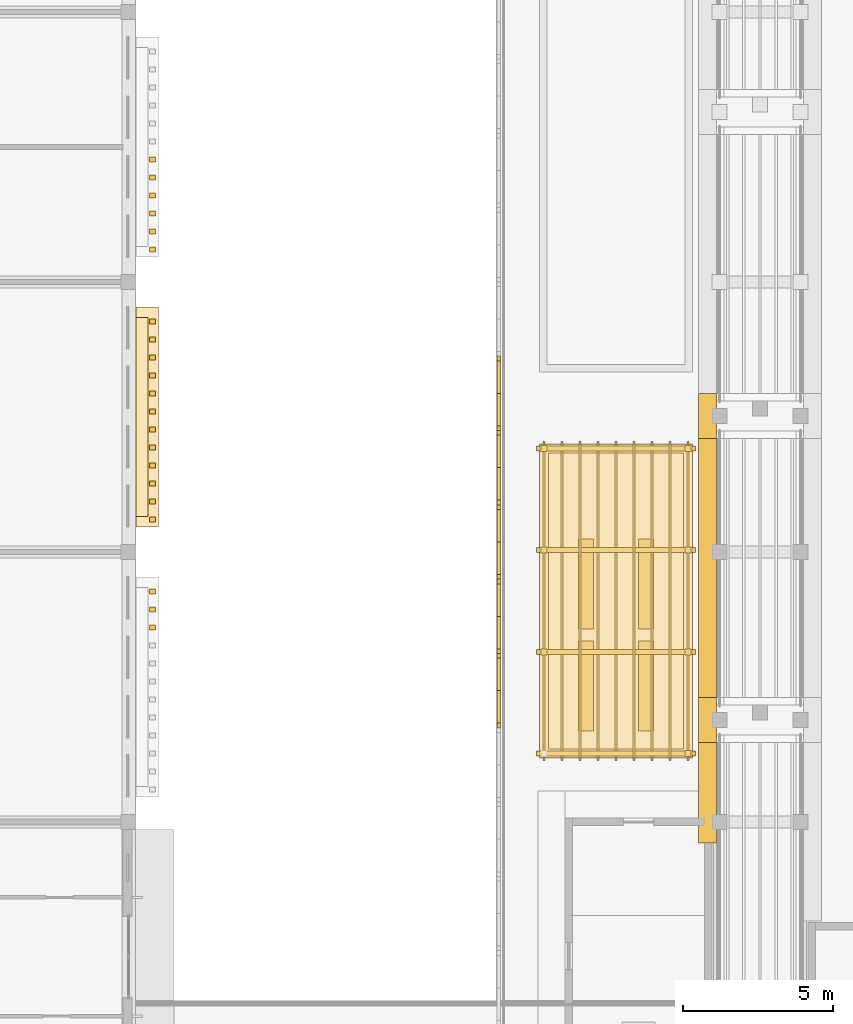
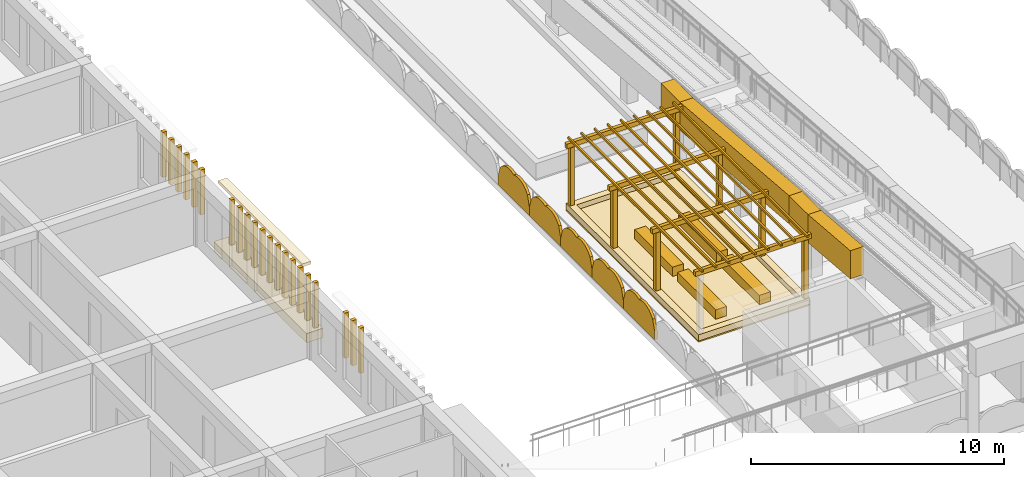
# One storey, part 63 of 70: 54 coverings, 5 shading devices.
"""IFC4 building model written with IfcOpenShell, lengths in metres."""

from ifc_helpers import new_model, si_unit, direction, frame, origin, origin_2d, place, context, subcontext, project, spatial, polyline, rectangle, outline, extrude, material, layer, layer_set, type_object, element, save


model = new_model("IFC4")

# Units and contexts
model_context = context("Model", 3, precision=1e-05, world=origin(), true_north=direction((0.0, 1.0)))
body_context = subcontext(model_context, "Body", "Model", "MODEL_VIEW")
ifc_project = project(units=[si_unit("LENGTHUNIT", "METRE"), si_unit("AREAUNIT", "SQUARE_METRE"), si_unit("VOLUMEUNIT", "CUBIC_METRE"), si_unit("PLANEANGLEUNIT", "RADIAN"), si_unit("MASSUNIT", "GRAM", prefix="KILO")], contexts=[model_context])

# Site, building, storey
site_placement = place(None, origin())
site = spatial("IfcSite", under=ifc_project, at=site_placement, CompositionType="ELEMENT")
building_placement = place(site_placement, origin())
building = spatial("IfcBuilding", under=site, at=building_placement, Name="Elbe Cascade School", CompositionType="ELEMENT")
storey_placement = place(building_placement, frame((0.0, 0.0, 8.10009765625)))
storey = spatial("IfcBuildingStorey", under=building, at=storey_placement, Name="L02", CompositionType="ELEMENT", Elevation=8.10009765625)

# Shading devices
ifc_material_1 = material(Name="Precast concrete C40/50", Category="concrete")
ifc_layer_1 = layer(ifc_material_1, 0.1201171875)
ifc_layer_set_1 = layer_set([ifc_layer_1], Name="Precast concrete C40/50")
shading_device_type = type_object("IfcShadingDeviceType", Name="Bars envelope Attic jali screen, pointed arch top, pierced precast concrete, 1200 high", PredefinedType="USERDEFINED", material=ifc_layer_set_1)
shading_device_1_placement = place(storey_placement, frame((157.580078125, 18.136474609375, 0.39990234375), z_axis=(-1.0, 0.0, 0.0), x_axis=(0.0, 0.296914729778, 0.954903996871)))
element("IfcShadingDevice", 1, at=shading_device_1_placement, inside=storey, type_object=shading_device_type, Name="Attic jali screen SD1 D.L02.w6", ObjectType="JALI", PredefinedType="USERDEFINED", context=body_context, shape_type="SweptSolid", body=[
    extrude(outline(polyline([(0.0, 0.0), (0.5213118135497831, 2.7755575615628914e-17), (0.730927669136395, 0.09691772307437502), (0.8773650620393721, 0.21347995097534359), (0.9848696015542793, 0.3421478331421466), (1.0620671294497308, 0.48023927850989856), (1.1124546086048945, 0.6266669528631053), (1.1363376588260814, 0.7815914981126785), (1.1317062553490027, 0.9451265641229927), (1.2282536445091836, 1.0772014268316772), (1.296431557866498, 1.218353072018325), (1.3379600643944363, 1.3675353263841168), (1.3526785221820867, 1.5250538097353636), (1.3370899683502817, 1.6919958562875592), (1.2825685611304065, 1.8710435571055892), (1.1648686912268968, 2.069735762750213), (0.7354728633602158, 2.3653456914692117), (0.353604516955074, 2.4840825878011685), (-0.3818683464051418, 0.11873689633195678), (0.0, 0.0)])), origin(), (0.0, 0.0, -1.0), 0.1201171875),
])
shading_device_2_placement = place(storey_placement, frame((157.580078125, 20.613525390625, 0.39990234375), z_axis=(-1.0, 0.0, 0.0), x_axis=(0.0, 0.297341674145, 0.954771139497)))
element("IfcShadingDevice", 2, at=shading_device_2_placement, inside=storey, type_object=shading_device_type, Name="Attic jali screen SD1 D.L02.w7", ObjectType="JALI", PredefinedType="USERDEFINED", context=body_context, shape_type="SweptSolid", body=[
    extrude(outline(polyline([(0.0, 0.0), (0.5213843546183408, 0.0), (0.7310435248660785, 0.0968239861308065), (0.8775330225543048, 0.21332072462811125), (0.9850950836468173, 0.3419405245468374), (1.0623543497845827, 0.47999743814690954), (1.112807297308533, 0.6264025676958647), (1.1367596178235617, 0.7813164184342674), (1.1322013375835094, 0.9448535389739736), (1.2288077728077673, 1.0768852184544173), (1.2969762004591083, 1.2177732661588931), (1.3386440011015277, 1.3671700350528164), (1.353432889947968, 1.5246819214728944), (1.337918983839661, 1.6916309215743182), (1.2834776411356403, 1.870702983097163), (1.1658666258721082, 2.0694477969865064), (0.7366030194201371, 2.365249695429385), (0.35478780299032203, 2.4841573278143447), (-0.38181521642981503, 0.11890763238495955), (0.0, 0.0)])), origin(), (0.0, 0.0, -1.0), 0.1201171875),
])
shading_device_3_placement = place(storey_placement, frame((157.580078125, 23.0908203125, 0.39990234375), z_axis=(-1.0, 0.0, 0.0), x_axis=(0.0, 0.296914729778, 0.954903996871)))
element("IfcShadingDevice", 3, at=shading_device_3_placement, inside=storey, type_object=shading_device_type, Name="Attic jali screen SD1 D.L02.w8", ObjectType="JALI", PredefinedType="USERDEFINED", context=body_context, shape_type="SweptSolid", body=[
    extrude(outline(polyline([(0.0, 0.0), (0.5213118135497831, 2.7755575615628914e-17), (0.7310001580840946, 0.09715085393298623), (0.8774375509870718, 0.2137130818339548), (0.9849420905019789, 0.3423809640007578), (1.0621396183974305, 0.48047240936850977), (1.1125995865002938, 0.6271332145803277), (1.1364101477737811, 0.7818246289712897), (1.1317787442967022, 0.9453596949816039), (1.2283261334568831, 1.0774345576902884), (1.296431557866498, 1.218353072018325), (1.3379600643944363, 1.3675353263841168), (1.3527510111297865, 1.5252869405939748), (1.3371624572979814, 1.6922289871461704), (1.282641050078106, 1.8712766879642004), (1.1649411801745964, 2.069968893608824), (0.7355453523079154, 2.365578822327823), (0.3536770059027736, 2.4843157186597797), (-0.3818683464051418, 0.11873689633195678), (0.0, 0.0)])), origin(), (0.0, 0.0, -1.0), 0.1201171875),
])
shading_device_4_placement = place(storey_placement, frame((157.580078125, 25.568115234375, 0.39990234375), z_axis=(-1.0, 0.0, 0.0), x_axis=(0.0, 0.296914729778, 0.954903996871)))
element("IfcShadingDevice", 4, at=shading_device_4_placement, inside=storey, type_object=shading_device_type, Name="Attic jali screen SD1 D.L02.w9", ObjectType="JALI", PredefinedType="USERDEFINED", context=body_context, shape_type="SweptSolid", body=[
    extrude(outline(polyline([(0.0, 0.0), (0.5213118135497831, 2.7755575615628914e-17), (0.730927669136395, 0.09691772307437502), (0.8774375509870718, 0.2137130818339548), (0.9849420905019789, 0.3423809640007578), (1.0621396183974305, 0.48047240936850977), (1.1125995865002938, 0.6271332145803277), (1.1364101477737811, 0.7818246289712897), (1.1317787442967022, 0.9453596949816039), (1.2283261334568831, 1.0774345576902884), (1.296431557866498, 1.218353072018325), (1.3379600643944363, 1.3675353263841168), (1.3526785221820867, 1.5250538097353636), (1.3371624572979814, 1.6922289871461704), (1.282641050078106, 1.8712766879642004), (1.1649411801745964, 2.069968893608824), (0.7355453523079154, 2.365578822327823), (0.3536770059027736, 2.4843157186597797), (-0.3818683464051418, 0.11873689633195678), (0.0, 0.0)])), origin(), (0.0, 0.0, -1.0), 0.1201171875),
])
shading_device_5_placement = place(storey_placement, frame((157.580078125, 28.04541015625, 0.39990234375), z_axis=(-1.0, 0.0, 0.0), x_axis=(0.0, 0.296914729778, 0.954903996871)))
element("IfcShadingDevice", 5, at=shading_device_5_placement, inside=storey, type_object=shading_device_type, Name="Attic jali screen SD1 D.L02.w10", ObjectType="JALI", PredefinedType="USERDEFINED", context=body_context, shape_type="SweptSolid", body=[
    extrude(outline(polyline([(0.0, 0.0), (0.5213118135497831, 2.7755575615628914e-17), (0.730927669136395, 0.09691772307437502), (0.8774375509870718, 0.2137130818339548), (0.9849420905019789, 0.3423809640007578), (1.0621396183974305, 0.48047240936850977), (1.1125270975525943, 0.6269000837217165), (1.1364101477737811, 0.7818246289712897), (1.1317787442967022, 0.9453596949816039), (1.2283261334568831, 1.0774345576902884), (1.296431557866498, 1.218353072018325), (1.3379600643944363, 1.3675353263841168), (1.3526785221820867, 1.5250538097353636), (1.3370899683502817, 1.6919958562875592), (1.282641050078106, 1.8712766879642004), (1.1649411801745964, 2.069968893608824), (0.7355453523079154, 2.365578822327823), (0.3536770059027736, 2.4843157186597797), (-0.3818683464051418, 0.11873689633195678), (0.0, 0.0)])), origin(), (0.0, 0.0, -1.0), 0.1201171875),
])

# Coverings
ifc_material_2 = material(Name="Bituminous waterproofing membrane", Category="membrane")
ifc_layer_2 = layer(ifc_material_2, 0.06005859375)
ifc_layer_set_2 = layer_set([ifc_layer_2], Name="Bituminous waterproofing membrane")
covering_type_1 = type_object("IfcCoveringType", Name="Bars envelope Roof covering, bituminous waterproofing membrane", PredefinedType="ROOFING", material=ifc_layer_set_2)
covering_1_placement = place(storey_placement, origin())
element("IfcCovering", 6, at=covering_1_placement, inside=storey, type_object=covering_type_1, Name="Roof covering CV49 D.L02.1", PredefinedType="ROOFING", context=body_context, shape_type="SweptSolid", body=[
    extrude(outline(polyline([(159.0, 17.125), (159.0, 27.60009765625), (164.10009765625, 27.60009765625), (164.10009765625, 17.125), (159.0, 17.125)])), origin(), (0.0, 0.0, 1.0), 0.059814453125),
])
ifc_material_3 = material(Name="Sandstone - red", Category="masonry")
covering_type_2 = type_object("IfcCoveringType", Name="Bars envelope Sandstone floor ledge, 400 deep", PredefinedType="CLADDING", material=ifc_material_3)
covering_2_placement = place(storey_placement, frame((145.75, 28.5, 3.4599609375), z_axis=(0.0, 0.0, 1.0), x_axis=(0.0, 1.0, 0.0)))
element("IfcCovering", 7, at=covering_2_placement, inside=storey, type_object=covering_type_2, Name="Floor ledge CV64 C.L02.e2.1", PredefinedType="CLADDING", context=body_context, shape_type="SweptSolid", body=[
    extrude(rectangle(XDim=6.639892578125, YDim=0.39990234375, at=origin_2d()), origin(), (0.0, 0.0, 1.0), 0.139892578125),
])
ifc_material_4 = material(Name="Sandstone - red", Category="masonry")
covering_type_3 = type_object("IfcCoveringType", Name="Bars envelope Sandstone planter kerb, 750 deep", PredefinedType="CLADDING", material=ifc_material_4)
covering_3_placement = place(storey_placement, frame((145.925048828125, 28.5, 0.0), z_axis=(0.0, 0.0, 1.0), x_axis=(0.0, 1.0, 0.0)))
element("IfcCovering", 8, at=covering_3_placement, inside=storey, type_object=covering_type_3, Name="Planter kerb CV65 C.L02.e2.1", PredefinedType="CLADDING", context=body_context, shape_type="SweptSolid", body=[
    extrude(rectangle(XDim=7.340087890625, YDim=0.75, at=origin_2d()), origin(), (0.0, 0.0, 1.0), 0.449951171875),
])
ifc_material_5 = material(Name="Sandstone - red", Category="masonry")
covering_type_4 = type_object("IfcCoveringType", Name="Bars envelope Sandstone slat, 160 wide, 200 deep", PredefinedType="CLADDING", material=ifc_material_5)
for number, where, z_axis, x_axis, name in (
    (9, (146.10009765625, 21.47998046875, 0.44970703125), (0.0, 0.0, 1.0), (0.0, 1.0, 0.0), "Slat CV66 C.L02.e1.1.10"),
    (10, (146.10009765625, 22.080078125, 0.44970703125), (0.0, 0.0, 1.0), (0.0, 1.0, 0.0), "Slat CV66 C.L02.e1.1.11"),
    (11, (146.10009765625, 22.679931640625, 0.44970703125), (0.0, 0.0, 1.0), (0.0, 1.0, 0.0), "Slat CV66 C.L02.e1.1.12"),
    (12, (146.10009765625, 25.080078125, 0.44970703125), (0.0, 0.0, 1.0), (0.0, 1.0, 0.0), "Slat CV66 C.L02.e2.1.1"),
    (13, (146.10009765625, 25.679931640625, 0.44970703125), (0.0, 0.0, 1.0), (0.0, 1.0, 0.0), "Slat CV66 C.L02.e2.1.2"),
    (14, (146.10009765625, 26.280029296875, 0.44970703125), (0.0, 0.0, 1.0), (0.0, 1.0, 0.0), "Slat CV66 C.L02.e2.1.3"),
    (15, (146.10009765625, 26.8798828125, 0.44970703125), (0.0, 0.0, 1.0), (0.0, 1.0, 0.0), "Slat CV66 C.L02.e2.1.4"),
    (16, (146.10009765625, 27.47998046875, 0.44970703125), (0.0, 0.0, 1.0), (0.0, 1.0, 0.0), "Slat CV66 C.L02.e2.1.5"),
    (17, (146.10009765625, 28.080078125, 0.44970703125), (0.0, 0.0, 1.0), (0.0, 1.0, 0.0), "Slat CV66 C.L02.e2.1.6"),
    (18, (146.10009765625, 28.679931640625, 0.44970703125), (0.0, 0.0, 1.0), (0.0, 1.0, 0.0), "Slat CV66 C.L02.e2.1.7"),
    (19, (146.10009765625, 29.280029296875, 0.44970703125), (0.0, 0.0, 1.0), (0.0, 1.0, 0.0), "Slat CV66 C.L02.e2.1.8"),
    (20, (146.10009765625, 29.8798828125, 0.44970703125), (0.0, 0.0, 1.0), (0.0, 1.0, 0.0), "Slat CV66 C.L02.e2.1.9"),
    (21, (146.10009765625, 30.47998046875, 0.44970703125), (0.0, 0.0, 1.0), (0.0, 1.0, 0.0), "Slat CV66 C.L02.e2.1.10"),
    (22, (146.10009765625, 31.080078125, 0.44970703125), (0.0, 0.0, 1.0), (0.0, 1.0, 0.0), "Slat CV66 C.L02.e2.1.11"),
    (23, (146.10009765625, 31.679931640625, 0.44970703125), (0.0, 0.0, 1.0), (0.0, 1.0, 0.0), "Slat CV66 C.L02.e2.1.12"),
    (24, (146.10009765625, 34.080078125, 0.44970703125), (0.0, 0.0, 1.0), (0.0, 1.0, 0.0), "Slat CV66 C.L02.e3.1.1"),
    (25, (146.10009765625, 34.679931640625, 0.44970703125), (0.0, 0.0, 1.0), (0.0, 1.0, 0.0), "Slat CV66 C.L02.e3.1.2"),
    (26, (146.10009765625, 35.280029296875, 0.44970703125), (0.0, 0.0, 1.0), (0.0, 1.0, 0.0), "Slat CV66 C.L02.e3.1.3"),
    (27, (146.10009765625, 35.8798828125, 0.44970703125), (0.0, 0.0, 1.0), (0.0, 1.0, 0.0), "Slat CV66 C.L02.e3.1.4"),
    (28, (146.10009765625, 36.47998046875, 0.44970703125), (0.0, 0.0, 1.0), (0.0, 1.0, 0.0), "Slat CV66 C.L02.e3.1.5"),
    (29, (146.10009765625, 37.080078125, 0.44970703125), (0.0, 0.0, 1.0), (0.0, 1.0, 0.0), "Slat CV66 C.L02.e3.1.6"),
):
    element("IfcCovering", number, at=place(storey_placement, frame(where, z_axis=z_axis, x_axis=x_axis)), inside=storey, type_object=covering_type_4, Name=name, PredefinedType="CLADDING", context=body_context, shape_type="SweptSolid", body=[
        extrude(rectangle(XDim=0.159912109375, YDim=0.199951171875, at=origin_2d()), origin(), (0.0, 0.0, 1.0), 2.179931640625),
    ])
ifc_material_6 = material(Name="Concrete C30/37 precast, exposed aggregate", Category="concrete")
covering_type_5 = type_object("IfcCoveringType", Name="Court bench 500x450", PredefinedType="USERDEFINED", material=ifc_material_6)
covering_4_placement = place(storey_placement, frame((0.0, 0.0, 0.10986328125)))
element("IfcCovering", 30, at=covering_4_placement, inside=storey, type_object=covering_type_5, Name="Court bench D.w1.1", ObjectType="BENCH", PredefinedType="USERDEFINED", context=body_context, shape_type="SweptSolid", body=[
    extrude(outline(polyline([(160.300048828125, 18.02490234375), (160.800048828125, 18.02490234375), (160.800048828125, 21.02490234375), (160.300048828125, 21.02490234375), (160.300048828125, 18.02490234375)])), origin(), (0.0, 0.0, 1.0), 0.449951171875),
])
covering_5_placement = place(storey_placement, frame((0.0, 0.0, 0.10986328125)))
element("IfcCovering", 31, at=covering_5_placement, inside=storey, type_object=covering_type_5, Name="Court bench D.w1.2", ObjectType="BENCH", PredefinedType="USERDEFINED", context=body_context, shape_type="SweptSolid", body=[
    extrude(outline(polyline([(160.300048828125, 21.425048828125), (160.800048828125, 21.425048828125), (160.800048828125, 24.425048828125), (160.300048828125, 24.425048828125), (160.300048828125, 21.425048828125)])), origin(), (0.0, 0.0, 1.0), 0.449951171875),
])
covering_6_placement = place(storey_placement, frame((0.0, 0.0, 0.10986328125)))
element("IfcCovering", 32, at=covering_6_placement, inside=storey, type_object=covering_type_5, Name="Court bench D.w1.3", ObjectType="BENCH", PredefinedType="USERDEFINED", context=body_context, shape_type="SweptSolid", body=[
    extrude(outline(polyline([(162.300048828125, 18.02490234375), (162.800048828125, 18.02490234375), (162.800048828125, 21.02490234375), (162.300048828125, 21.02490234375), (162.300048828125, 18.02490234375)])), origin(), (0.0, 0.0, 1.0), 0.449951171875),
])
covering_7_placement = place(storey_placement, frame((0.0, 0.0, 0.10986328125)))
element("IfcCovering", 33, at=covering_7_placement, inside=storey, type_object=covering_type_5, Name="Court bench D.w1.4", ObjectType="BENCH", PredefinedType="USERDEFINED", context=body_context, shape_type="SweptSolid", body=[
    extrude(outline(polyline([(162.300048828125, 21.425048828125), (162.800048828125, 21.425048828125), (162.800048828125, 24.425048828125), (162.300048828125, 24.425048828125), (162.300048828125, 21.425048828125)])), origin(), (0.0, 0.0, 1.0), 0.449951171875),
])
ifc_material_7 = material(Name="Concrete C30/37 precast kerb", Category="concrete")
ifc_layer_3 = layer(ifc_material_7, 0.300048828125)
ifc_layer_set_3 = layer_set([ifc_layer_3], Name="Concrete C30/37 precast kerb")
covering_type_6 = type_object("IfcCoveringType", Name="Court kerb 300x300", PredefinedType="CLADDING", material=ifc_layer_set_3)
covering_8_placement = place(storey_placement, frame((0.0, 0.0, 0.059814453125)))
element("IfcCovering", 34, at=covering_8_placement, inside=storey, type_object=covering_type_6, Name="Court kerb D.w1", PredefinedType="CLADDING", context=body_context, shape_type="SweptSolid", body=[
    extrude(outline(polyline([(164.10009765625, 17.125), (162.5, 17.125), (162.10009765625, 17.125), (159.0, 17.125), (159.0, 27.60009765625), (164.10009765625, 27.60009765625), (164.10009765625, 24.89990234375), (164.10009765625, 24.89990234375), (164.10009765625, 23.10009765625), (164.10009765625, 23.10009765625), (164.10009765625, 19.2900390625), (164.10009765625, 19.2900390625), (164.10009765625, 17.489990234375), (164.10009765625, 17.489990234375), (164.10009765625, 17.125)]), holes=[polyline([(163.800048828125, 17.425048828125), (159.300048828125, 17.425048828125), (159.300048828125, 27.300048828125), (163.800048828125, 27.300048828125), (163.800048828125, 25.199951171875), (163.800048828125, 25.199951171875), (163.800048828125, 23.10009765625), (163.800048828125, 19.590087890625), (163.800048828125, 19.590087890625), (163.800048828125, 17.489990234375), (163.800048828125, 17.425048828125)])]), origin(), (0.0, 0.0, 1.0), 0.300048828125),
])
ifc_material_8 = material(Name="Concrete paving slabs", Category="concrete")
ifc_layer_4 = layer(ifc_material_8, 0.050048828125)
ifc_layer_set_4 = layer_set([ifc_layer_4], Name="Concrete paving slabs")
covering_type_7 = type_object("IfcCoveringType", Name="Court paving 50", PredefinedType="FLOORING", material=ifc_layer_set_4)
covering_9_placement = place(storey_placement, frame((0.0, 0.0, 0.059814453125)))
element("IfcCovering", 35, at=covering_9_placement, inside=storey, type_object=covering_type_7, Name="Court paving D.w1", PredefinedType="FLOORING", context=body_context, shape_type="SweptSolid", body=[
    extrude(outline(polyline([(163.800048828125, 17.425048828125), (159.300048828125, 17.425048828125), (159.300048828125, 27.300048828125), (163.800048828125, 27.300048828125), (163.800048828125, 25.199951171875), (163.800048828125, 25.199951171875), (163.800048828125, 23.10009765625), (163.800048828125, 19.590087890625), (163.800048828125, 19.590087890625), (163.800048828125, 17.489990234375), (163.800048828125, 17.425048828125)])), origin(), (0.0, 0.0, 1.0), 0.050048828125),
])
ifc_material_9 = material(Name="Steel S355J2H, hot-dip galvanised", Category="steel")
covering_type_8 = type_object("IfcCoveringType", Name="Pergola beam 160x220", PredefinedType="USERDEFINED", material=ifc_material_9)
covering_10_placement = place(storey_placement, frame((0.0, 0.0, 3.159912109375)))
element("IfcCovering", 36, at=covering_10_placement, inside=storey, type_object=covering_type_8, Name="Pergola D.w1 beam 1", ObjectType="PERGOLA BEAM", PredefinedType="USERDEFINED", context=body_context, shape_type="SweptSolid", body=[
    extrude(outline(polyline([(158.89990234375, 17.195068359375), (164.199951171875, 17.195068359375), (164.199951171875, 17.35498046875), (158.89990234375, 17.35498046875), (158.89990234375, 17.195068359375)])), origin(), (0.0, 0.0, 1.0), 0.219970703125),
])
covering_11_placement = place(storey_placement, frame((0.0, 0.0, 3.159912109375)))
element("IfcCovering", 37, at=covering_11_placement, inside=storey, type_object=covering_type_8, Name="Pergola D.w1 beam 2", ObjectType="PERGOLA BEAM", PredefinedType="USERDEFINED", context=body_context, shape_type="SweptSolid", body=[
    extrude(outline(polyline([(158.89990234375, 20.586669921875), (164.199951171875, 20.586669921875), (164.199951171875, 20.74658203125), (158.89990234375, 20.74658203125), (158.89990234375, 20.586669921875)])), origin(), (0.0, 0.0, 1.0), 0.219970703125),
])
covering_12_placement = place(storey_placement, frame((0.0, 0.0, 3.159912109375)))
element("IfcCovering", 38, at=covering_12_placement, inside=storey, type_object=covering_type_8, Name="Pergola D.w1 beam 3", ObjectType="PERGOLA BEAM", PredefinedType="USERDEFINED", context=body_context, shape_type="SweptSolid", body=[
    extrude(outline(polyline([(158.89990234375, 23.978271484375), (164.199951171875, 23.978271484375), (164.199951171875, 24.13818359375), (158.89990234375, 24.13818359375), (158.89990234375, 23.978271484375)])), origin(), (0.0, 0.0, 1.0), 0.219970703125),
])
covering_13_placement = place(storey_placement, frame((0.0, 0.0, 3.159912109375)))
element("IfcCovering", 39, at=covering_13_placement, inside=storey, type_object=covering_type_8, Name="Pergola D.w1 beam 4", ObjectType="PERGOLA BEAM", PredefinedType="USERDEFINED", context=body_context, shape_type="SweptSolid", body=[
    extrude(outline(polyline([(158.89990234375, 27.3701171875), (164.199951171875, 27.3701171875), (164.199951171875, 27.530029296875), (158.89990234375, 27.530029296875), (158.89990234375, 27.3701171875)])), origin(), (0.0, 0.0, 1.0), 0.219970703125),
])
ifc_material_10 = material(Name="Steel S355J2H, hot-dip galvanised", Category="steel")
covering_type_9 = type_object("IfcCoveringType", Name="Pergola post 200x2800", PredefinedType="USERDEFINED", material=ifc_material_10)
covering_14_placement = place(storey_placement, frame((0.0, 0.0, 0.35986328125)))
element("IfcCovering", 40, at=covering_14_placement, inside=storey, type_object=covering_type_9, Name="Pergola D.w1 post 1e", ObjectType="PERGOLA POST", PredefinedType="USERDEFINED", context=body_context, shape_type="SweptSolid", body=[
    extrude(outline(polyline([(163.85009765625, 17.175048828125), (164.050048828125, 17.175048828125), (164.050048828125, 17.375), (163.85009765625, 17.375), (163.85009765625, 17.175048828125)])), origin(), (0.0, 0.0, 1.0), 2.800048828125),
])
covering_15_placement = place(storey_placement, frame((0.0, 0.0, 0.35986328125)))
element("IfcCovering", 41, at=covering_15_placement, inside=storey, type_object=covering_type_9, Name="Pergola D.w1 post 2w", ObjectType="PERGOLA POST", PredefinedType="USERDEFINED", context=body_context, shape_type="SweptSolid", body=[
    extrude(outline(polyline([(159.050048828125, 20.566650390625), (159.25, 20.566650390625), (159.25, 20.7666015625), (159.050048828125, 20.7666015625), (159.050048828125, 20.566650390625)])), origin(), (0.0, 0.0, 1.0), 2.800048828125),
])
covering_16_placement = place(storey_placement, frame((0.0, 0.0, 0.35986328125)))
element("IfcCovering", 42, at=covering_16_placement, inside=storey, type_object=covering_type_9, Name="Pergola D.w1 post 2e", ObjectType="PERGOLA POST", PredefinedType="USERDEFINED", context=body_context, shape_type="SweptSolid", body=[
    extrude(outline(polyline([(163.85009765625, 20.566650390625), (164.050048828125, 20.566650390625), (164.050048828125, 20.7666015625), (163.85009765625, 20.7666015625), (163.85009765625, 20.566650390625)])), origin(), (0.0, 0.0, 1.0), 2.800048828125),
])
covering_17_placement = place(storey_placement, frame((0.0, 0.0, 0.35986328125)))
element("IfcCovering", 43, at=covering_17_placement, inside=storey, type_object=covering_type_9, Name="Pergola D.w1 post 3w", ObjectType="PERGOLA POST", PredefinedType="USERDEFINED", context=body_context, shape_type="SweptSolid", body=[
    extrude(outline(polyline([(159.050048828125, 23.958251953125), (159.25, 23.958251953125), (159.25, 24.158203125), (159.050048828125, 24.158203125), (159.050048828125, 23.958251953125)])), origin(), (0.0, 0.0, 1.0), 2.800048828125),
])
covering_18_placement = place(storey_placement, frame((0.0, 0.0, 0.35986328125)))
element("IfcCovering", 44, at=covering_18_placement, inside=storey, type_object=covering_type_9, Name="Pergola D.w1 post 3e", ObjectType="PERGOLA POST", PredefinedType="USERDEFINED", context=body_context, shape_type="SweptSolid", body=[
    extrude(outline(polyline([(163.85009765625, 23.958251953125), (164.050048828125, 23.958251953125), (164.050048828125, 24.158203125), (163.85009765625, 24.158203125), (163.85009765625, 23.958251953125)])), origin(), (0.0, 0.0, 1.0), 2.800048828125),
])
covering_19_placement = place(storey_placement, frame((0.0, 0.0, 0.35986328125)))
element("IfcCovering", 45, at=covering_19_placement, inside=storey, type_object=covering_type_9, Name="Pergola D.w1 post 4w", ObjectType="PERGOLA POST", PredefinedType="USERDEFINED", context=body_context, shape_type="SweptSolid", body=[
    extrude(outline(polyline([(159.050048828125, 27.35009765625), (159.25, 27.35009765625), (159.25, 27.550048828125), (159.050048828125, 27.550048828125), (159.050048828125, 27.35009765625)])), origin(), (0.0, 0.0, 1.0), 2.800048828125),
])
covering_20_placement = place(storey_placement, frame((0.0, 0.0, 0.35986328125)))
element("IfcCovering", 46, at=covering_20_placement, inside=storey, type_object=covering_type_9, Name="Pergola D.w1 post 4e", ObjectType="PERGOLA POST", PredefinedType="USERDEFINED", context=body_context, shape_type="SweptSolid", body=[
    extrude(outline(polyline([(163.85009765625, 27.35009765625), (164.050048828125, 27.35009765625), (164.050048828125, 27.550048828125), (163.85009765625, 27.550048828125), (163.85009765625, 27.35009765625)])), origin(), (0.0, 0.0, 1.0), 2.800048828125),
])
ifc_material_11 = material(Name="Steel S355J2H, hot-dip galvanised", Category="steel")
covering_type_10 = type_object("IfcCoveringType", Name="Pergola slat 80x100", PredefinedType="USERDEFINED", material=ifc_material_11)
covering_21_placement = place(storey_placement, frame((0.0, 0.0, 3.3798828125)))
element("IfcCovering", 47, at=covering_21_placement, inside=storey, type_object=covering_type_10, Name="Pergola D.w1 slat 1", ObjectType="PERGOLA SLAT", PredefinedType="USERDEFINED", context=body_context, shape_type="SweptSolid", body=[
    extrude(outline(polyline([(159.110107421875, 17.044921875), (159.18994140625, 17.044921875), (159.18994140625, 27.679931640625), (159.110107421875, 27.679931640625), (159.110107421875, 17.044921875)])), origin(), (0.0, 0.0, 1.0), 0.10009765625),
])
covering_22_placement = place(storey_placement, frame((0.0, 0.0, 3.3798828125)))
element("IfcCovering", 48, at=covering_22_placement, inside=storey, type_object=covering_type_10, Name="Pergola D.w1 slat 2", ObjectType="PERGOLA SLAT", PredefinedType="USERDEFINED", context=body_context, shape_type="SweptSolid", body=[
    extrude(outline(polyline([(159.7099609375, 17.044921875), (159.7900390625, 17.044921875), (159.7900390625, 27.679931640625), (159.7099609375, 27.679931640625), (159.7099609375, 17.044921875)])), origin(), (0.0, 0.0, 1.0), 0.10009765625),
])
covering_23_placement = place(storey_placement, frame((0.0, 0.0, 3.3798828125)))
element("IfcCovering", 49, at=covering_23_placement, inside=storey, type_object=covering_type_10, Name="Pergola D.w1 slat 3", ObjectType="PERGOLA SLAT", PredefinedType="USERDEFINED", context=body_context, shape_type="SweptSolid", body=[
    extrude(outline(polyline([(160.31005859375, 17.044921875), (160.389892578125, 17.044921875), (160.389892578125, 27.679931640625), (160.31005859375, 27.679931640625), (160.31005859375, 17.044921875)])), origin(), (0.0, 0.0, 1.0), 0.10009765625),
])
covering_24_placement = place(storey_placement, frame((0.0, 0.0, 3.3798828125)))
element("IfcCovering", 50, at=covering_24_placement, inside=storey, type_object=covering_type_10, Name="Pergola D.w1 slat 4", ObjectType="PERGOLA SLAT", PredefinedType="USERDEFINED", context=body_context, shape_type="SweptSolid", body=[
    extrude(outline(polyline([(160.909912109375, 17.044921875), (160.989990234375, 17.044921875), (160.989990234375, 27.679931640625), (160.909912109375, 27.679931640625), (160.909912109375, 17.044921875)])), origin(), (0.0, 0.0, 1.0), 0.10009765625),
])
covering_25_placement = place(storey_placement, frame((0.0, 0.0, 3.3798828125)))
element("IfcCovering", 51, at=covering_25_placement, inside=storey, type_object=covering_type_10, Name="Pergola D.w1 slat 5", ObjectType="PERGOLA SLAT", PredefinedType="USERDEFINED", context=body_context, shape_type="SweptSolid", body=[
    extrude(outline(polyline([(161.510009765625, 17.044921875), (161.590087890625, 17.044921875), (161.590087890625, 27.679931640625), (161.510009765625, 27.679931640625), (161.510009765625, 17.044921875)])), origin(), (0.0, 0.0, 1.0), 0.10009765625),
])
covering_26_placement = place(storey_placement, frame((0.0, 0.0, 3.3798828125)))
element("IfcCovering", 52, at=covering_26_placement, inside=storey, type_object=covering_type_10, Name="Pergola D.w1 slat 6", ObjectType="PERGOLA SLAT", PredefinedType="USERDEFINED", context=body_context, shape_type="SweptSolid", body=[
    extrude(outline(polyline([(162.110107421875, 17.044921875), (162.18994140625, 17.044921875), (162.18994140625, 27.679931640625), (162.110107421875, 27.679931640625), (162.110107421875, 17.044921875)])), origin(), (0.0, 0.0, 1.0), 0.10009765625),
])
covering_27_placement = place(storey_placement, frame((0.0, 0.0, 3.3798828125)))
element("IfcCovering", 53, at=covering_27_placement, inside=storey, type_object=covering_type_10, Name="Pergola D.w1 slat 7", ObjectType="PERGOLA SLAT", PredefinedType="USERDEFINED", context=body_context, shape_type="SweptSolid", body=[
    extrude(outline(polyline([(162.7099609375, 17.044921875), (162.7900390625, 17.044921875), (162.7900390625, 27.679931640625), (162.7099609375, 27.679931640625), (162.7099609375, 17.044921875)])), origin(), (0.0, 0.0, 1.0), 0.10009765625),
])
covering_28_placement = place(storey_placement, frame((0.0, 0.0, 3.3798828125)))
element("IfcCovering", 54, at=covering_28_placement, inside=storey, type_object=covering_type_10, Name="Pergola D.w1 slat 8", ObjectType="PERGOLA SLAT", PredefinedType="USERDEFINED", context=body_context, shape_type="SweptSolid", body=[
    extrude(outline(polyline([(163.31005859375, 17.044921875), (163.389892578125, 17.044921875), (163.389892578125, 27.679931640625), (163.31005859375, 27.679931640625), (163.31005859375, 17.044921875)])), origin(), (0.0, 0.0, 1.0), 0.10009765625),
])
covering_29_placement = place(storey_placement, frame((0.0, 0.0, 3.3798828125)))
element("IfcCovering", 55, at=covering_29_placement, inside=storey, type_object=covering_type_10, Name="Pergola D.w1 slat 9", ObjectType="PERGOLA SLAT", PredefinedType="USERDEFINED", context=body_context, shape_type="SweptSolid", body=[
    extrude(outline(polyline([(163.909912109375, 17.044921875), (163.989990234375, 17.044921875), (163.989990234375, 27.679931640625), (163.909912109375, 27.679931640625), (163.909912109375, 17.044921875)])), origin(), (0.0, 0.0, 1.0), 0.10009765625),
])
ifc_material_12 = material(Name="Concrete C30/37 precast parapet", Category="concrete")
ifc_layer_5 = layer(ifc_material_12, 0.60009765625)
ifc_layer_set_5 = layer_set([ifc_layer_5], Name="Concrete C30/37 precast parapet")
covering_type_11 = type_object("IfcCoveringType", Name="Ramp and bridge parapet 600", PredefinedType="CLADDING", material=ifc_layer_set_5)
covering_30_placement = place(storey_placement, frame((0.0, 0.0, 2.639892578125)))
element("IfcCovering", 56, at=covering_30_placement, inside=storey, type_object=covering_type_11, Name="Ramp D landing 2 parapet w1", PredefinedType="CLADDING", context=body_context, shape_type="SweptSolid", body=[
    extrude(outline(polyline([(164.300048828125, 17.639892578125), (164.89990234375, 17.639892578125), (164.89990234375, 19.139892578125), (164.300048828125, 19.139892578125), (164.300048828125, 17.639892578125)])), origin(), (0.0, 0.0, 1.0), 1.360107421875),
])
covering_31_placement = place(storey_placement, frame((0.0, 0.0, 1.919921875)))
element("IfcCovering", 57, at=covering_31_placement, inside=storey, type_object=covering_type_11, Name="Ramp D landing 3 parapet w1", PredefinedType="CLADDING", context=body_context, shape_type="SweptSolid", body=[
    extrude(outline(polyline([(164.300048828125, 27.780029296875), (164.89990234375, 27.780029296875), (164.89990234375, 29.280029296875), (164.300048828125, 29.280029296875), (164.300048828125, 27.780029296875)])), origin(), (0.0, 0.0, 1.0), 1.35986328125),
])
covering_32_placement = place(storey_placement, frame((164.300048828125, 14.300048828125, 4.2783203125), z_axis=(0.0, 0.083045479854, 0.996545758245), x_axis=(0.0, 0.996545758245, -0.083045479854)))
element("IfcCovering", 58, at=covering_32_placement, inside=storey, type_object=covering_type_11, Name="Ramp D flight 1 parapet w2", PredefinedType="CLADDING", context=body_context, shape_type="SweptSolid", body=[
    extrude(outline(polyline([(0.0, 0.0), (3.3514203661677775, 0.0), (3.3514203661677775, -0.599853515625), (0.0, -0.599853515625), (0.0, 0.0)])), origin(), (0.083045479854, 0.0, -0.996545758245), 1.360107421875),
])
covering_33_placement = place(storey_placement, frame((164.300048828125, 19.139892578125, 4.0), z_axis=(0.0, 0.083068783756, 0.996543815979), x_axis=(0.0, 0.996543815979, -0.083068783756)))
element("IfcCovering", 59, at=covering_33_placement, inside=storey, type_object=covering_type_11, Name="Ramp D flight 2 parapet w1", PredefinedType="CLADDING", context=body_context, shape_type="SweptSolid", body=[
    extrude(outline(polyline([(0.0, 0.0), (8.670102187393748, 0.0), (8.670102187393748, -0.5998535156250001), (0.0, -0.5998535156250001), (0.0, 0.0)])), origin(), (0.083068783756, 0.0, -0.996543815979), 1.360107421875),
])

save(model, "model.ifc")
